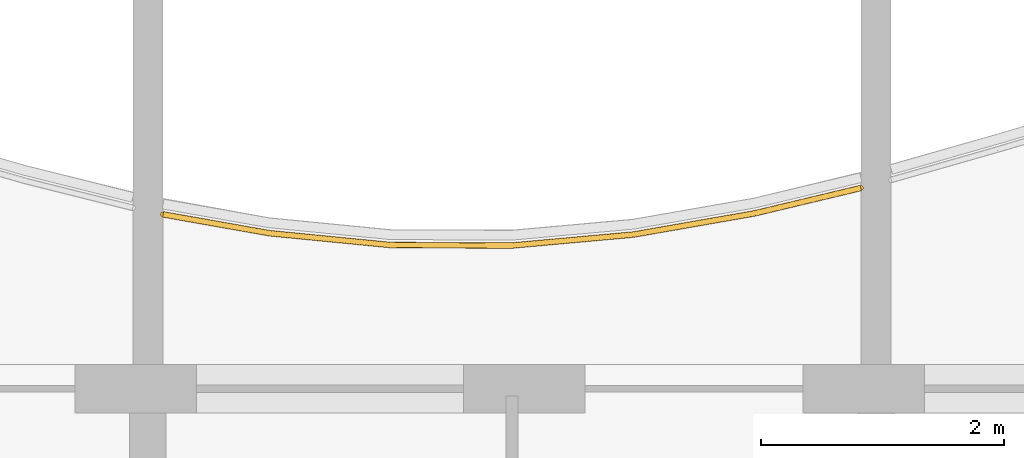
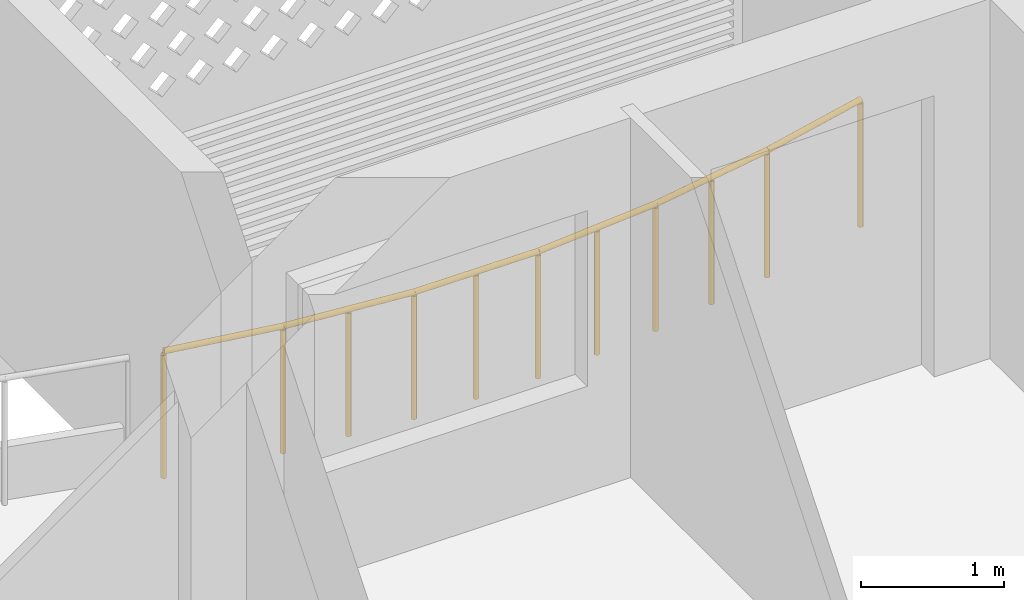
# One storey, part 19 of 32: 1 railing.
"""IFC4 building model written with IfcOpenShell, lengths in metres."""

from ifc_helpers import new_model, si_unit, direction, frame, origin, origin_2d, place, context, subcontext, project, spatial, circle, extrude, material, type_object, element, save


model = new_model("IFC4")

# Units and contexts
model_context = context("Model", 3, precision=1e-05, world=origin(), true_north=direction((0.0, 1.0)))
body_context = subcontext(model_context, "Body", "Model", "MODEL_VIEW")
ifc_project = project(units=[si_unit("LENGTHUNIT", "METRE"), si_unit("AREAUNIT", "SQUARE_METRE"), si_unit("VOLUMEUNIT", "CUBIC_METRE"), si_unit("PLANEANGLEUNIT", "RADIAN"), si_unit("MASSUNIT", "GRAM", prefix="KILO")], contexts=[model_context])

# Site, building, storey
site_placement = place(None, origin())
site = spatial("IfcSite", under=ifc_project, at=site_placement, CompositionType="ELEMENT")
building_placement = place(site_placement, origin())
building = spatial("IfcBuilding", under=site, at=building_placement, Name="Poui Terraces", CompositionType="ELEMENT")
storey_placement = place(building_placement, frame((0.0, 0.0, 129.0)))
storey = spatial("IfcBuildingStorey", under=building, at=storey_placement, Name="L35", CompositionType="ELEMENT", Elevation=129.0)

# Railing
ifc_material = material(Name="Painted steel fretwork", Category="steel")
railing_type = type_object("IfcRailingType", Name="BALCONY GUARD 1100", PredefinedType="GUARDRAIL", material=ifc_material)
railing_placement = place(storey_placement, frame((24.125, 43.836669921875, 0.0)))
element("IfcRailing", 1, at=railing_placement, inside=storey, type_object=railing_type, Name="BALCONY GUARD", PredefinedType="GUARDRAIL", context=body_context, shape_type="SweptSolid", body=[
    extrude(circle(Radius=0.02392578125, at=origin_2d()), frame((0.0, 0.0, 1.076171875), z_axis=(0.984711559518, -0.174192837258, 0.0), x_axis=(0.174192837258, 0.984711559518, 0.0)), (0.0, 0.0, 1.0), 0.888671875),
    extrude(circle(Radius=0.02392578125, at=origin_2d()), frame((0.875, -0.15478515625, 1.076171875), z_axis=(0.995241932297, -0.097434573938, 0.0), x_axis=(0.097434573938, 0.995241932297, 0.0)), (0.0, 0.0, 1.0), 1.0048828125),
    extrude(circle(Radius=0.02392578125, at=origin_2d()), frame((1.875, -0.252685546875, 1.076171875), z_axis=(0.999992370693, -0.003906220198, 0.0), x_axis=(0.003906220198, 0.999992370693, 0.0)), (0.0, 0.0, 1.0), 1.0),
    extrude(circle(Radius=0.02392578125, at=origin_2d()), frame((2.875, -0.256591796875, 1.076171875), z_axis=(0.995944862323, 0.089965722427, 0.0), x_axis=(-0.089965722427, 0.995944862323, 0.0)), (0.0, 0.0, 1.0), 1.004150390625),
    extrude(circle(Radius=0.02392578125, at=origin_2d()), frame((3.875, -0.166259765625, 1.076171875), z_axis=(0.985063118138, 0.172193650534, 0.0), x_axis=(-0.172193650534, 0.985063118138, 0.0)), (0.0, 0.0, 1.0), 1.01513671875),
    extrude(circle(Radius=0.02392578125, at=origin_2d()), frame((4.875, 0.008544921875, 1.076171875), z_axis=(0.972642909815, 0.232305337835, 0.0), x_axis=(-0.232305337835, 0.972642909815, 0.0)), (0.0, 0.0, 1.0), 0.899658203125),
    extrude(circle(Radius=0.02099609375, at=origin_2d()), origin(), (0.0, 0.0, 1.0), 1.052001953125),
    extrude(circle(Radius=0.02099609375, at=origin_2d()), frame((0.875, -0.15478515625, 0.0)), (0.0, 0.0, 1.0), 1.052001953125),
    extrude(circle(Radius=0.02099609375, at=origin_2d()), frame((1.375, -0.20361328125, 0.0)), (0.0, 0.0, 1.0), 1.052001953125),
    extrude(circle(Radius=0.02099609375, at=origin_2d()), frame((1.875, -0.252685546875, 0.0)), (0.0, 0.0, 1.0), 1.052001953125),
    extrude(circle(Radius=0.02099609375, at=origin_2d()), frame((2.375, -0.254638671875, 0.0)), (0.0, 0.0, 1.0), 1.052001953125),
    extrude(circle(Radius=0.02099609375, at=origin_2d()), frame((2.875, -0.256591796875, 0.0)), (0.0, 0.0, 1.0), 1.052001953125),
    extrude(circle(Radius=0.02099609375, at=origin_2d()), frame((3.375, -0.21142578125, 0.0)), (0.0, 0.0, 1.0), 1.052001953125),
    extrude(circle(Radius=0.02099609375, at=origin_2d()), frame((3.875, -0.166259765625, 0.0)), (0.0, 0.0, 1.0), 1.052001953125),
    extrude(circle(Radius=0.02099609375, at=origin_2d()), frame((4.375, -0.078857421875, 0.0)), (0.0, 0.0, 1.0), 1.052001953125),
    extrude(circle(Radius=0.02099609375, at=origin_2d()), frame((4.875, 0.008544921875, 0.0)), (0.0, 0.0, 1.0), 1.052001953125),
    extrude(circle(Radius=0.02099609375, at=origin_2d()), frame((5.75, 0.217529296875, 0.0)), (0.0, 0.0, 1.0), 1.052001953125),
])

save(model, "model.ifc")
